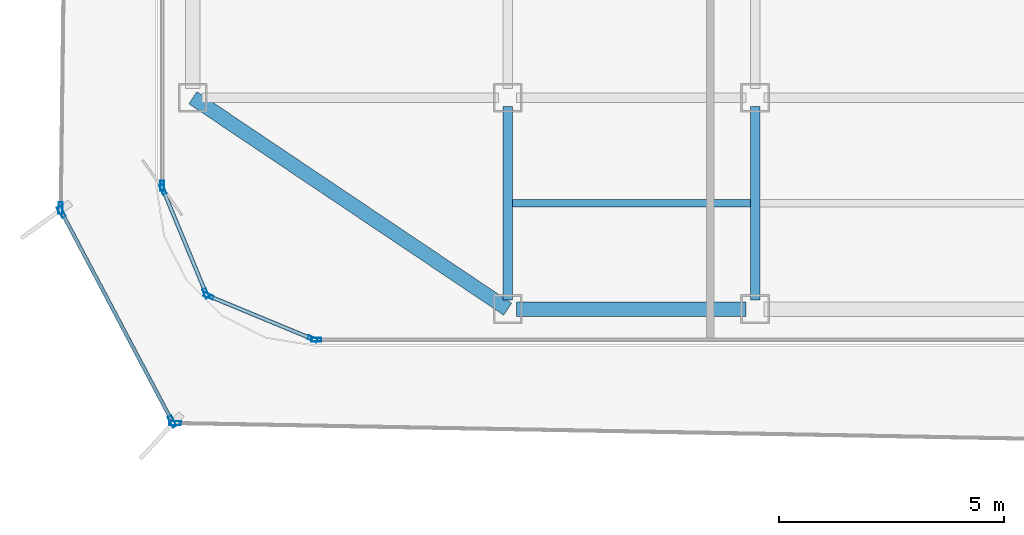
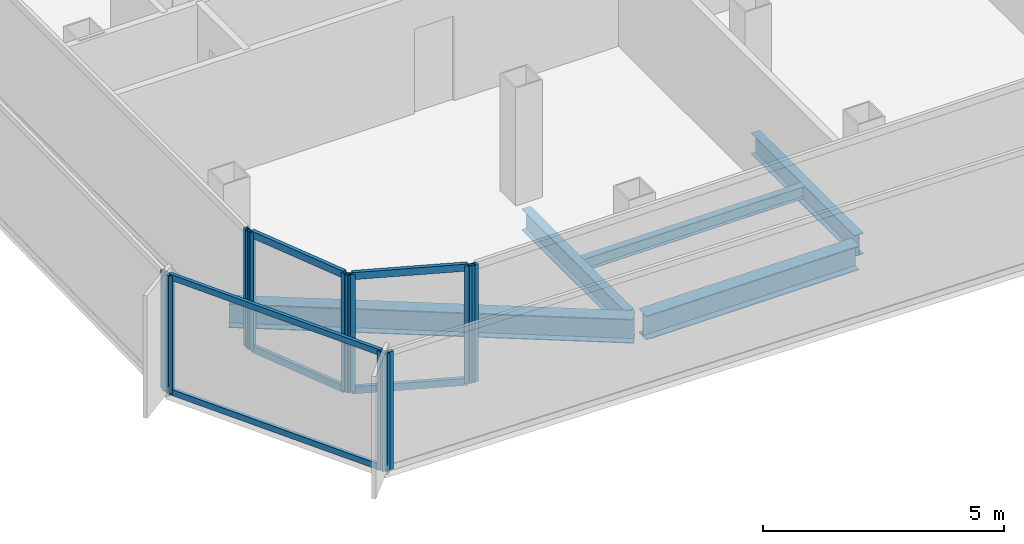
# One storey, part 2 of 15: 16 members, 5 beams, 7 elements without a shape of their own.
"""IFC4 building model written with IfcOpenShell, lengths in metres."""

from ifc_helpers import new_model, si_unit, direction, frame, origin, origin_2d, place, context, subcontext, project, spatial, hollow_rectangle, i_section, extrude, source, transform, mapped, material, layer, layer_set, material_profile, profile_set, type_object, element, aggregate, save


model = new_model("IFC4")

# Units and contexts
model_context = context("Model", 3, precision=1e-05, world=origin(), true_north=direction((0.0, 1.0)))
body_context = subcontext(model_context, "Body", "Model", "MODEL_VIEW")
ifc_project = project(units=[si_unit("LENGTHUNIT", "METRE"), si_unit("AREAUNIT", "SQUARE_METRE"), si_unit("VOLUMEUNIT", "CUBIC_METRE"), si_unit("PLANEANGLEUNIT", "RADIAN"), si_unit("MASSUNIT", "GRAM", prefix="KILO")], contexts=[model_context])

# Site, building, storey
site_placement = place(None, origin())
site = spatial("IfcSite", under=ifc_project, at=site_placement, CompositionType="ELEMENT")
building_placement = place(site_placement, origin())
building = spatial("IfcBuilding", under=site, at=building_placement, Name="Kolveth Station Tower", CompositionType="ELEMENT")
storey_placement = place(building_placement, frame((0.0, 0.0, 245.699951171875)))
storey = spatial("IfcBuildingStorey", under=building, at=storey_placement, Name="L70", CompositionType="ELEMENT", Elevation=245.699951171875)

# Beams
ifc_material_1 = material(Name="Steel S355", Category="steel")
ifc_material_profile_1 = material_profile(ifc_material_1, i_section(OverallWidth=0.323974609375, OverallDepth=0.611083984375, WebThickness=0.0126953125, FlangeThickness=0.01904296875, at=origin_2d()), Name="W610x155")
ifc_profile_set_1 = profile_set([ifc_material_profile_1], Name="Steel S355")
beam_type_1 = type_object("IfcBeamType", Name="Beam_SP2", PredefinedType="SPANDREL", material=ifc_profile_set_1)
shared_shape_1 = source(origin(), body_context, "Body", "SweptSolid", [
    extrude(i_section(OverallWidth=0.323974609375, OverallDepth=0.611083984375, WebThickness=0.0126953125, FlangeThickness=0.01904296875, at=origin_2d()), origin(), (0.0, 0.0, 1.0), 8.431396484375),
])
beam_1_placement = place(storey_placement, frame((6.0, 5.5, -0.525390625), z_axis=(0.830223811004, -0.557430196206, 0.0), x_axis=(0.557430196206, 0.830223811004, 0.0)))
element("IfcBeam", 1, at=beam_1_placement, inside=storey, type_object=beam_type_1, Name="L70 Corner Edge Girder BM-L70-CNR-SW", PredefinedType="SPANDREL", context=body_context, shape_type="MappedRepresentation", body=[
    mapped(shared_shape_1, transform((0.0, 0.0, 0.0), x_axis=(1.0, 0.0, 0.0), y_axis=(0.0, 1.0, 0.0), z_axis=(0.0, 0.0, 1.0), scale=1.0)),
])
shared_shape_2 = source(origin(), body_context, "Body", "SweptSolid", [
    extrude(i_section(OverallWidth=0.323974609375, OverallDepth=0.611083984375, WebThickness=0.0126953125, FlangeThickness=0.01904296875, at=origin_2d()), origin(), (0.0, 0.0, 1.0), 5.10009765625),
])
beam_2_placement = place(storey_placement, frame((13.199951171875, 0.800048828125, -0.525390625), z_axis=(1.0, 0.0, 0.0), x_axis=(0.0, 1.0, 0.0)))
element("IfcBeam", 2, at=beam_2_placement, inside=storey, type_object=beam_type_1, Name="L70 Perimeter Spandrel BM-L70-PS-1", PredefinedType="SPANDREL", context=body_context, shape_type="MappedRepresentation", body=[
    mapped(shared_shape_2, transform((0.0, 0.0, 0.0), x_axis=(1.0, 0.0, 0.0), y_axis=(0.0, 1.0, 0.0), z_axis=(0.0, 0.0, 1.0), scale=1.0)),
])
ifc_material_profile_2 = material_profile(ifc_material_1, i_section(OverallWidth=0.2099609375, OverallDepth=0.537109375, WebThickness=0.010986328125, FlangeThickness=0.017333984375, at=origin_2d()), Name="W530x101")
ifc_profile_set_2 = profile_set([ifc_material_profile_2], Name="Steel S355")
beam_type_2 = type_object("IfcBeamType", Name="Beam_B6", PredefinedType="BEAM", material=ifc_profile_set_2)
shared_shape_3 = source(origin(), body_context, "Body", "SweptSolid", [
    extrude(i_section(OverallWidth=0.2099609375, OverallDepth=0.537109375, WebThickness=0.010986328125, FlangeThickness=0.017333984375, at=origin_2d()), origin(), (0.0, 0.0, 1.0), 4.300048828125),
])
for number, where, z_axis, x_axis, name in (
    (3, (13.0, 1.0, -0.488525390625), (0.0, 1.0, 0.0), (-1.0, 0.0, 0.0), "L70 Primary Girder BM-L70-GX130-1"),
    (4, (18.5, 1.0, -0.488525390625), (0.0, 1.0, 0.0), (-1.0, 0.0, 0.0), "L70 Primary Girder BM-L70-GX185-1"),
):
    element("IfcBeam", number, at=place(storey_placement, frame(where, z_axis=z_axis, x_axis=x_axis)), inside=storey, type_object=beam_type_2, Name=name, PredefinedType="BEAM", context=body_context, shape_type="MappedRepresentation", body=[
        mapped(shared_shape_3, transform((0.0, 0.0, 0.0), x_axis=(1.0, 0.0, 0.0), y_axis=(0.0, 1.0, 0.0), z_axis=(0.0, 0.0, 1.0), scale=1.0)),
    ])
ifc_material_profile_3 = material_profile(ifc_material_1, i_section(OverallWidth=0.1650390625, OverallDepth=0.31005859375, WebThickness=0.005859375, FlangeThickness=0.009765625, at=origin_2d()), Name="W310x39")
ifc_profile_set_3 = profile_set([ifc_material_profile_3], Name="Steel S355")
beam_type_3 = type_object("IfcBeamType", Name="Beam_J3", PredefinedType="JOIST", material=ifc_profile_set_3)
shared_shape_4 = source(origin(), body_context, "Body", "SweptSolid", [
    extrude(i_section(OverallWidth=0.1650390625, OverallDepth=0.31005859375, WebThickness=0.005859375, FlangeThickness=0.009765625, at=origin_2d()), origin(), (0.0, 0.0, 1.0), 5.2939453125),
])
beam_3_placement = place(storey_placement, frame((13.10302734375, 3.14990234375, -0.375), z_axis=(1.0, 0.0, 0.0), x_axis=(0.0, 1.0, 0.0)))
element("IfcBeam", 5, at=beam_3_placement, inside=storey, type_object=beam_type_3, Name="L70 Secondary Joist JST-L70-2-1", PredefinedType="JOIST", context=body_context, shape_type="MappedRepresentation", body=[
    mapped(shared_shape_4, transform((0.0, 0.0, 0.0), x_axis=(1.0, 0.0, 0.0), y_axis=(0.0, 1.0, 0.0), z_axis=(0.0, 0.0, 1.0), scale=1.0)),
])

# Curtain wall, member
ifc_material_2 = material(Name="Black anodized aluminium 6063-T6 and dark solar glass", Category="aluminium")
ifc_layer_1 = layer(ifc_material_2, 0.159912109375)
ifc_layer_set_1 = layer_set([ifc_layer_1], Name="Black anodized aluminium 6063-T6 and dark solar glass")
curtain_wall_type_1 = type_object("IfcCurtainWallType", Name="OUTER SKIN CW-OS", PredefinedType="NOTDEFINED", material=ifc_layer_set_1)
curtain_wall_1_placement = place(storey_placement, origin())
curtain_wall_1 = element("IfcCurtainWall", 6, at=curtain_wall_1_placement, inside=storey, type_object=curtain_wall_type_1, Name="L70 Outer Ventilated Skin Curtain Wall 6", PredefinedType="NOTDEFINED")
ifc_material_3 = material(Name="Black anodized aluminium 6063-T6", Category="aluminium")
ifc_material_profile_4 = material_profile(ifc_material_3, hollow_rectangle(XDim=0.090087890625, YDim=0.260009765625, WallThickness=0.0048828125, at=origin_2d()), Name="ALU-90x260x5")
ifc_profile_set_4 = profile_set([ifc_material_profile_4], Name="Black anodized aluminium 6063-T6")
member_type_1 = type_object("IfcMemberType", Name="FIN MULLION ML-OS", PredefinedType="MULLION", material=ifc_profile_set_4)
shared_shape_5 = source(origin(), body_context, "Body", "SweptSolid", [
    extrude(hollow_rectangle(XDim=0.090087890625, YDim=0.260009765625, WallThickness=0.0048828125, at=origin_2d()), origin(), (0.0, 0.0, 1.0), 2.989990234375),
])
member_1_placement = place(storey_placement, frame((3.058837890625, 3.049072265625, 0.0), z_axis=(0.0, 0.0, 1.0), x_axis=(0.999922787359, -0.012426557028, 0.0)))
member_1 = element("IfcMember", 7, at=member_1_placement, type_object=member_type_1, Name="CW-OS mullion 2", PredefinedType="MULLION", context=body_context, shape_type="MappedRepresentation", body=[
    mapped(shared_shape_5, transform((0.0, 0.0, 0.0), x_axis=(1.0, 0.0, 0.0), y_axis=(0.0, 1.0, 0.0), z_axis=(0.0, 0.0, 1.0), scale=1.0)),
])
aggregate(curtain_wall_1, [member_1])

# Curtain wall, members
curtain_wall_2_placement = place(storey_placement, origin())
curtain_wall_2 = element("IfcCurtainWall", 8, at=curtain_wall_2_placement, inside=storey, type_object=curtain_wall_type_1, Name="L70 Outer Ventilated Skin Curtain Wall 7", PredefinedType="NOTDEFINED")
member_2_placement = place(storey_placement, frame((3.079345703125, 2.96435546875, 0.0), z_axis=(0.0, 0.0, 1.0), x_axis=(0.884240333089, 0.467032154502, 0.0)))
member_2 = element("IfcMember", 9, at=member_2_placement, type_object=member_type_1, Name="CW-OS mullion 1", PredefinedType="MULLION", context=body_context, shape_type="MappedRepresentation", body=[
    mapped(shared_shape_5, transform((0.0, 0.0, 0.0), x_axis=(1.0, 0.0, 0.0), y_axis=(0.0, 1.0, 0.0), z_axis=(0.0, 0.0, 1.0), scale=1.0)),
])
member_3_placement = place(storey_placement, frame((5.541015625, -1.6962890625, 0.0), z_axis=(0.0, 0.0, 1.0), x_axis=(0.884240333089, 0.467032154502, 0.0)))
member_3 = element("IfcMember", 10, at=member_3_placement, type_object=member_type_1, Name="CW-OS mullion 2", PredefinedType="MULLION", context=body_context, shape_type="MappedRepresentation", body=[
    mapped(shared_shape_5, transform((0.0, 0.0, 0.0), x_axis=(1.0, 0.0, 0.0), y_axis=(0.0, 1.0, 0.0), z_axis=(0.0, 0.0, 1.0), scale=1.0)),
])

# Curtain wall, member
curtain_wall_3_placement = place(storey_placement, origin())
curtain_wall_3 = element("IfcCurtainWall", 11, at=curtain_wall_3_placement, inside=storey, type_object=curtain_wall_type_1, Name="L70 Outer Ventilated Skin Curtain Wall 8", PredefinedType="NOTDEFINED")
member_4_placement = place(storey_placement, frame((5.60693359375, -1.737060546875, 0.0), z_axis=(0.0, 0.0, 1.0), x_axis=(0.018287718225, 0.999832765697, 0.0)))
member_4 = element("IfcMember", 12, at=member_4_placement, type_object=member_type_1, Name="CW-OS mullion 1", PredefinedType="MULLION", context=body_context, shape_type="MappedRepresentation", body=[
    mapped(shared_shape_5, transform((0.0, 0.0, 0.0), x_axis=(1.0, 0.0, 0.0), y_axis=(0.0, 1.0, 0.0), z_axis=(0.0, 0.0, 1.0), scale=1.0)),
])
aggregate(curtain_wall_3, [member_4])

ifc_material_4 = material(Name="Aluminium 6063-T6 and triple low-E dark glass", Category="aluminium")
ifc_layer_2 = layer(ifc_material_4, 0.199951171875)
ifc_layer_set_2 = layer_set([ifc_layer_2], Name="Aluminium 6063-T6 and triple low-E dark glass")
curtain_wall_type_2 = type_object("IfcCurtainWallType", Name="CurtainWall_CW-Z3", PredefinedType="NOTDEFINED", material=ifc_layer_set_2)
curtain_wall_4_placement = place(storey_placement, origin())
curtain_wall_4 = element("IfcCurtainWall", 13, at=curtain_wall_4_placement, inside=storey, type_object=curtain_wall_type_2, Name="L70 Inner Thermal Curtain Wall 9", PredefinedType="NOTDEFINED")
ifc_material_profile_5 = material_profile(ifc_material_3, hollow_rectangle(XDim=0.0849609375, YDim=0.215087890625, WallThickness=0.0048828125, at=origin_2d()), Name="ALU-85x215x5")
ifc_profile_set_5 = profile_set([ifc_material_profile_5], Name="Black anodized aluminium 6063-T6")
member_type_2 = type_object("IfcMemberType", Name="Mullion_ML3", PredefinedType="MULLION", material=ifc_profile_set_5)
shared_shape_6 = source(origin(), body_context, "Body", "SweptSolid", [
    extrude(hollow_rectangle(XDim=0.0849609375, YDim=0.215087890625, WallThickness=0.0048828125, at=origin_2d()), origin(), (0.0, 0.0, 1.0), 2.97998046875),
])
member_5_placement = place(storey_placement, frame((5.320068359375, 3.54248046875, 0.0), z_axis=(0.0, 0.0, 1.0), x_axis=(1.0, 0.0, 0.0)))
member_5 = element("IfcMember", 14, at=member_5_placement, type_object=member_type_2, Name="CW-Z3 mullion 2", PredefinedType="MULLION", context=body_context, shape_type="MappedRepresentation", body=[
    mapped(shared_shape_6, transform((0.0, 0.0, 0.0), x_axis=(1.0, 0.0, 0.0), y_axis=(0.0, 1.0, 0.0), z_axis=(0.0, 0.0, 1.0), scale=1.0)),
])
aggregate(curtain_wall_4, [member_5])

# Curtain wall, members
curtain_wall_5_placement = place(storey_placement, origin())
curtain_wall_5 = element("IfcCurtainWall", 15, at=curtain_wall_5_placement, inside=storey, type_object=curtain_wall_type_2, Name="L70 Inner Thermal Curtain Wall 10", PredefinedType="NOTDEFINED")
member_6_placement = place(storey_placement, frame((5.336181640625, 3.460693359375, 0.0), z_axis=(0.0, 0.0, 1.0), x_axis=(0.923875488975, 0.382693194181, 0.0)))
member_6 = element("IfcMember", 16, at=member_6_placement, type_object=member_type_2, Name="CW-Z3 mullion 1", PredefinedType="MULLION", context=body_context, shape_type="MappedRepresentation", body=[
    mapped(shared_shape_6, transform((0.0, 0.0, 0.0), x_axis=(1.0, 0.0, 0.0), y_axis=(0.0, 1.0, 0.0), z_axis=(0.0, 0.0, 1.0), scale=1.0)),
])
member_7_placement = place(storey_placement, frame((6.293701171875, 1.149169921875, 0.0), z_axis=(0.0, 0.0, 1.0), x_axis=(0.923875488975, 0.382693194181, 0.0)))
member_7 = element("IfcMember", 17, at=member_7_placement, type_object=member_type_2, Name="CW-Z3 mullion 2", PredefinedType="MULLION", context=body_context, shape_type="MappedRepresentation", body=[
    mapped(shared_shape_6, transform((0.0, 0.0, 0.0), x_axis=(1.0, 0.0, 0.0), y_axis=(0.0, 1.0, 0.0), z_axis=(0.0, 0.0, 1.0), scale=1.0)),
])

curtain_wall_6_placement = place(storey_placement, origin())
curtain_wall_6 = element("IfcCurtainWall", 18, at=curtain_wall_6_placement, inside=storey, type_object=curtain_wall_type_2, Name="L70 Inner Thermal Curtain Wall 11", PredefinedType="NOTDEFINED")
member_8_placement = place(storey_placement, frame((6.349365234375, 1.09375, 0.0), z_axis=(0.0, 0.0, 1.0), x_axis=(0.382693194181, 0.923875488975, 0.0)))
member_8 = element("IfcMember", 19, at=member_8_placement, type_object=member_type_2, Name="CW-Z3 mullion 1", PredefinedType="MULLION", context=body_context, shape_type="MappedRepresentation", body=[
    mapped(shared_shape_6, transform((0.0, 0.0, 0.0), x_axis=(1.0, 0.0, 0.0), y_axis=(0.0, 1.0, 0.0), z_axis=(0.0, 0.0, 1.0), scale=1.0)),
])
member_9_placement = place(storey_placement, frame((8.66064453125, 0.13623046875, 0.0), z_axis=(0.0, 0.0, 1.0), x_axis=(0.382693194181, 0.923875488975, 0.0)))
member_9 = element("IfcMember", 20, at=member_9_placement, type_object=member_type_2, Name="CW-Z3 mullion 2", PredefinedType="MULLION", context=body_context, shape_type="MappedRepresentation", body=[
    mapped(shared_shape_6, transform((0.0, 0.0, 0.0), x_axis=(1.0, 0.0, 0.0), y_axis=(0.0, 1.0, 0.0), z_axis=(0.0, 0.0, 1.0), scale=1.0)),
])

# Curtain wall, member
curtain_wall_7_placement = place(storey_placement, origin())
curtain_wall_7 = element("IfcCurtainWall", 21, at=curtain_wall_7_placement, inside=storey, type_object=curtain_wall_type_2, Name="L70 Inner Thermal Curtain Wall 12", PredefinedType="NOTDEFINED")
member_10_placement = place(storey_placement, frame((8.742431640625, 0.1201171875, 0.0), z_axis=(0.0, 0.0, 1.0), x_axis=(0.0, 1.0, 0.0)))
member_10 = element("IfcMember", 22, at=member_10_placement, type_object=member_type_2, Name="CW-Z3 mullion 1", PredefinedType="MULLION", context=body_context, shape_type="MappedRepresentation", body=[
    mapped(shared_shape_6, transform((0.0, 0.0, 0.0), x_axis=(1.0, 0.0, 0.0), y_axis=(0.0, 1.0, 0.0), z_axis=(0.0, 0.0, 1.0), scale=1.0)),
])
aggregate(curtain_wall_7, [member_10])

# Member
ifc_material_profile_6 = material_profile(ifc_material_3, hollow_rectangle(XDim=0.0849609375, YDim=0.179931640625, WallThickness=0.0048828125, at=origin_2d()), Name="ALU-85x180x5")
ifc_profile_set_6 = profile_set([ifc_material_profile_6], Name="Black anodized aluminium 6063-T6")
member_type_3 = type_object("IfcMemberType", Name="Transom_TR3", PredefinedType="USERDEFINED", material=ifc_profile_set_6)
shared_shape_7 = source(origin(), body_context, "Body", "SweptSolid", [
    extrude(hollow_rectangle(XDim=0.0849609375, YDim=0.179931640625, WallThickness=0.0048828125, at=origin_2d()), origin(), (0.0, 0.0, 1.0), 2.4169921875),
])
member_11_placement = place(storey_placement, frame((5.3525390625, 3.42138671875, 0.04248046875), z_axis=(0.382735401206, -0.9238580046, 0.0), x_axis=(0.9238580046, 0.382735401206, 0.0)))
member_11 = element("IfcMember", 23, at=member_11_placement, type_object=member_type_3, Name="CW-Z3 transom 1.1", ObjectType="TRANSOM", PredefinedType="USERDEFINED", context=body_context, shape_type="MappedRepresentation", body=[
    mapped(shared_shape_7, transform((0.0, 0.0, 0.0), x_axis=(1.0, 0.0, 0.0), y_axis=(0.0, 1.0, 0.0), z_axis=(0.0, 0.0, 1.0), scale=1.0)),
])

member_12_placement = place(storey_placement, frame((5.3525390625, 3.42138671875, 2.9375), z_axis=(0.382735401206, -0.9238580046, 0.0), x_axis=(0.9238580046, 0.382735401206, 0.0)))
member_12 = element("IfcMember", 24, at=member_12_placement, type_object=member_type_3, Name="CW-Z3 transom 1.2", ObjectType="TRANSOM", PredefinedType="USERDEFINED", context=body_context, shape_type="MappedRepresentation", body=[
    mapped(shared_shape_7, transform((0.0, 0.0, 0.0), x_axis=(1.0, 0.0, 0.0), y_axis=(0.0, 1.0, 0.0), z_axis=(0.0, 0.0, 1.0), scale=1.0)),
])

aggregate(curtain_wall_5, [member_6, member_7, member_11, member_12])

member_13_placement = place(storey_placement, frame((6.388427734375, 1.077392578125, 0.04248046875), z_axis=(0.923908507952, -0.382613471971, 0.0), x_axis=(0.382613471971, 0.923908507952, 0.0)))
member_13 = element("IfcMember", 25, at=member_13_placement, type_object=member_type_3, Name="CW-Z3 transom 1.1", ObjectType="TRANSOM", PredefinedType="USERDEFINED", context=body_context, shape_type="MappedRepresentation", body=[
    mapped(shared_shape_7, transform((0.0, 0.0, 0.0), x_axis=(1.0, 0.0, 0.0), y_axis=(0.0, 1.0, 0.0), z_axis=(0.0, 0.0, 1.0), scale=1.0)),
])

member_14_placement = place(storey_placement, frame((6.388427734375, 1.077392578125, 2.9375), z_axis=(0.923908507952, -0.382613471971, 0.0), x_axis=(0.382613471971, 0.923908507952, 0.0)))
member_14 = element("IfcMember", 26, at=member_14_placement, type_object=member_type_3, Name="CW-Z3 transom 1.2", ObjectType="TRANSOM", PredefinedType="USERDEFINED", context=body_context, shape_type="MappedRepresentation", body=[
    mapped(shared_shape_7, transform((0.0, 0.0, 0.0), x_axis=(1.0, 0.0, 0.0), y_axis=(0.0, 1.0, 0.0), z_axis=(0.0, 0.0, 1.0), scale=1.0)),
])

aggregate(curtain_wall_6, [member_8, member_9, member_13, member_14])

ifc_material_profile_7 = material_profile(ifc_material_3, hollow_rectangle(XDim=0.080078125, YDim=0.14990234375, WallThickness=0.0048828125, at=origin_2d()), Name="ALU-80x150x5")
ifc_profile_set_7 = profile_set([ifc_material_profile_7], Name="Black anodized aluminium 6063-T6")
member_type_4 = type_object("IfcMemberType", Name="Transom_TR-OS", PredefinedType="USERDEFINED", material=ifc_profile_set_7)
shared_shape_8 = source(origin(), body_context, "Body", "SweptSolid", [
    extrude(hollow_rectangle(XDim=0.080078125, YDim=0.14990234375, WallThickness=0.0048828125, at=origin_2d()), origin(), (0.0, 0.0, 1.0), 5.18115234375),
])
member_15_placement = place(storey_placement, frame((3.100341796875, 2.924560546875, 0.0400390625), z_axis=(0.467025802835, -0.884243687841, 0.0), x_axis=(0.884243687841, 0.467025802835, 0.0)))
member_15 = element("IfcMember", 27, at=member_15_placement, type_object=member_type_4, Name="CW-OS transom 1.1", ObjectType="TRANSOM", PredefinedType="USERDEFINED", context=body_context, shape_type="MappedRepresentation", body=[
    mapped(shared_shape_8, transform((0.0, 0.0, 0.0), x_axis=(1.0, 0.0, 0.0), y_axis=(0.0, 1.0, 0.0), z_axis=(0.0, 0.0, 1.0), scale=1.0)),
])

member_16_placement = place(storey_placement, frame((3.100341796875, 2.924560546875, 2.949951171875), z_axis=(0.467025802835, -0.884243687841, 0.0), x_axis=(0.884243687841, 0.467025802835, 0.0)))
member_16 = element("IfcMember", 28, at=member_16_placement, type_object=member_type_4, Name="CW-OS transom 1.2", ObjectType="TRANSOM", PredefinedType="USERDEFINED", context=body_context, shape_type="MappedRepresentation", body=[
    mapped(shared_shape_8, transform((0.0, 0.0, 0.0), x_axis=(1.0, 0.0, 0.0), y_axis=(0.0, 1.0, 0.0), z_axis=(0.0, 0.0, 1.0), scale=1.0)),
])

aggregate(curtain_wall_2, [member_2, member_3, member_15, member_16])

save(model, "model.ifc")
